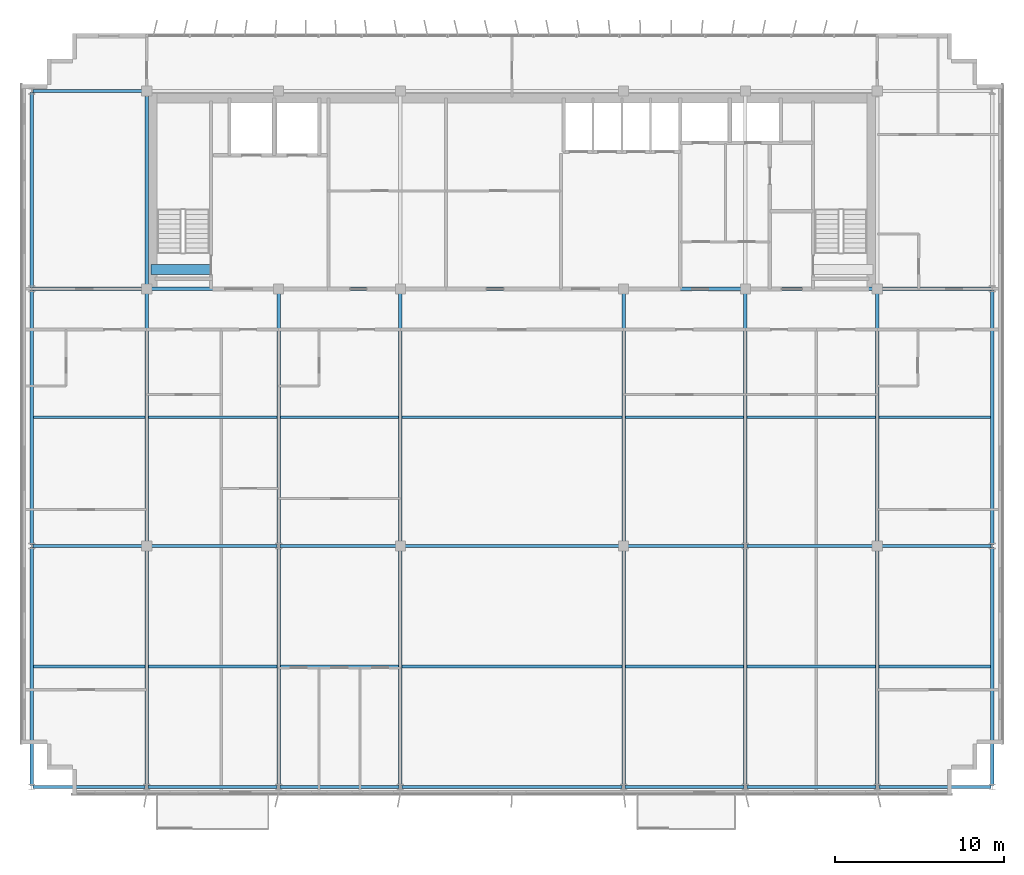
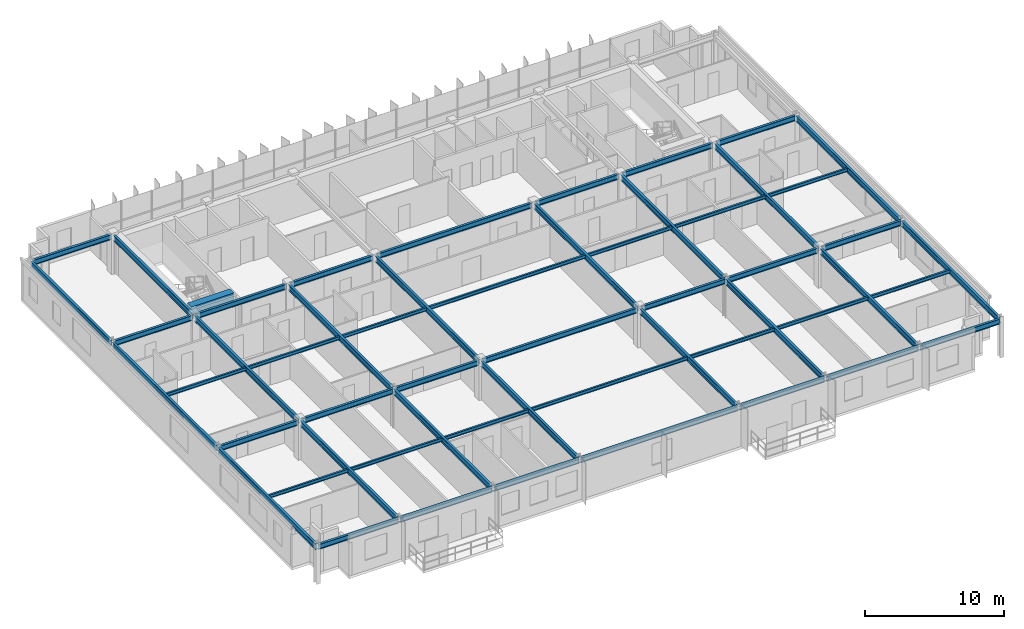
# One storey, part 5 of 22: 55 beams.
"""IFC4 building model written with IfcOpenShell, lengths in metres."""

from ifc_helpers import new_model, si_unit, direction, frame, origin, origin_2d, place, context, subcontext, project, spatial, rectangle, i_section, extrude, source, transform, mapped, material, material_profile, profile_set, type_object, element, save


model = new_model("IFC4")

# Units and contexts
model_context = context("Model", 3, precision=1e-05, world=origin(), true_north=direction((0.0, 1.0)))
body_context = subcontext(model_context, "Body", "Model", "MODEL_VIEW")
ifc_project = project(units=[si_unit("LENGTHUNIT", "METRE"), si_unit("AREAUNIT", "SQUARE_METRE"), si_unit("VOLUMEUNIT", "CUBIC_METRE"), si_unit("PLANEANGLEUNIT", "RADIAN"), si_unit("MASSUNIT", "GRAM", prefix="KILO")], contexts=[model_context])

# Site, building, storey
site_placement = place(None, origin())
site = spatial("IfcSite", under=ifc_project, at=site_placement, CompositionType="ELEMENT")
building_placement = place(site_placement, origin())
building = spatial("IfcBuilding", under=site, at=building_placement, Name="Trelvane Seafront Commons", CompositionType="ELEMENT")
storey_placement = place(building_placement, frame((0.0, 0.0, 270.300048828125)))
storey = spatial("IfcBuildingStorey", under=building, at=storey_placement, Name="L70", CompositionType="ELEMENT", Elevation=270.300048828125)

# Beams
ifc_material_1 = material(Name="Concrete C60/75", Category="concrete")
ifc_material_profile_1 = material_profile(ifc_material_1, rectangle(XDim=0.60009765625, YDim=0.89990234375, at=origin_2d()), Name="RC-600x900")
ifc_profile_set_1 = profile_set([ifc_material_profile_1], Name="Concrete C60/75")
beam_type_1 = type_object("IfcBeamType", Name="STR-LNT-RC600x900", PredefinedType="LINTEL", material=ifc_profile_set_1)
shared_shape_1 = source(origin(), body_context, "Body", "SweptSolid", [
    extrude(rectangle(XDim=0.60009765625, YDim=0.89990234375, at=origin_2d()), origin(), (0.0, 0.0, 1.0), 3.5498046875),
])
beam_1_placement = place(storey_placement, frame((15.85009765625, 34.550048828125, 2.919921875), z_axis=(1.0, 0.0, 0.0), x_axis=(0.0, 1.0, 0.0)))
element("IfcBeam", 1, at=beam_1_placement, inside=storey, type_object=beam_type_1, Name="L70 Core Coupling Lintel Beam CB-67", PredefinedType="LINTEL", context=body_context, shape_type="MappedRepresentation", body=[
    mapped(shared_shape_1, transform((0.0, 0.0, 0.0), x_axis=(1.0, 0.0, 0.0), y_axis=(0.0, 1.0, 0.0), z_axis=(0.0, 0.0, 1.0), scale=1.0)),
])
ifc_material_2 = material(Name="Steel SM355 (S355)", Category="steel")
ifc_material_profile_2 = material_profile(ifc_material_2, i_section(OverallWidth=0.199951171875, OverallDepth=0.5, WebThickness=0.010009765625, FlangeThickness=0.01611328125, at=origin_2d()), Name="H-500x200x10x16")
ifc_profile_set_2 = profile_set([ifc_material_profile_2], Name="Steel SM355 (S355)")
beam_type_2 = type_object("IfcBeamType", Name="STR-BM-H500", PredefinedType="BEAM", material=ifc_profile_set_2)
shared_shape_2 = source(origin(), body_context, "Body", "SweptSolid", [
    extrude(i_section(OverallWidth=0.199951171875, OverallDepth=0.5, WebThickness=0.010009765625, FlangeThickness=0.01611328125, at=origin_2d()), origin(), (0.0, 0.0, 1.0), 14.89990234375),
])
for number, where, z_axis, x_axis, name in (
    (2, (15.60009765625, 18.35009765625, 3.119873046875), (0.0, 1.0, 0.0), (-1.0, 0.0, 0.0), "L70 Primary Girder G-33"),
    (3, (30.60009765625, 18.35009765625, 3.119873046875), (0.0, 1.0, 0.0), (-1.0, 0.0, 0.0), "L70 Primary Girder G-39"),
    (4, (43.800048828125, 18.35009765625, 3.119873046875), (0.0, 1.0, 0.0), (-1.0, 0.0, 0.0), "L70 Primary Girder G-42"),
    (5, (58.800048828125, 18.35009765625, 3.119873046875), (0.0, 1.0, 0.0), (-1.0, 0.0, 0.0), "L70 Primary Girder G-48"),
):
    element("IfcBeam", number, at=place(storey_placement, frame(where, z_axis=z_axis, x_axis=x_axis)), inside=storey, type_object=beam_type_2, Name=name, PredefinedType="BEAM", context=body_context, shape_type="MappedRepresentation", body=[
        mapped(shared_shape_2, transform((0.0, 0.0, 0.0), x_axis=(1.0, 0.0, 0.0), y_axis=(0.0, 1.0, 0.0), z_axis=(0.0, 0.0, 1.0), scale=1.0)),
    ])
shared_shape_3 = source(origin(), body_context, "Body", "SweptSolid", [
    extrude(i_section(OverallWidth=0.199951171875, OverallDepth=0.5, WebThickness=0.010009765625, FlangeThickness=0.01611328125, at=origin_2d()), origin(), (0.0, 0.0, 1.0), 11.39990234375),
])
beam_2_placement = place(storey_placement, frame((15.60009765625, 33.550048828125, 3.119873046875), z_axis=(0.0, 1.0, 0.0), x_axis=(-1.0, 0.0, 0.0)))
element("IfcBeam", 6, at=beam_2_placement, inside=storey, type_object=beam_type_2, Name="L70 Primary Girder G-34", PredefinedType="BEAM", context=body_context, shape_type="MappedRepresentation", body=[
    mapped(shared_shape_3, transform((0.0, 0.0, 0.0), x_axis=(1.0, 0.0, 0.0), y_axis=(0.0, 1.0, 0.0), z_axis=(0.0, 0.0, 1.0), scale=1.0)),
])
ifc_material_profile_3 = material_profile(ifc_material_2, i_section(OverallWidth=0.199951171875, OverallDepth=0.449951171875, WebThickness=0.009033203125, FlangeThickness=0.013916015625, at=origin_2d()), Name="H-450x200x9x14")
ifc_profile_set_3 = profile_set([ifc_material_profile_3], Name="Steel SM355 (S355)")
beam_type_3 = type_object("IfcBeamType", Name="STR-SPD-H450", PredefinedType="SPANDREL", material=ifc_profile_set_3)
shared_shape_4 = source(origin(), body_context, "Body", "SweptSolid", [
    extrude(i_section(OverallWidth=0.199951171875, OverallDepth=0.449951171875, WebThickness=0.009033203125, FlangeThickness=0.013916015625, at=origin_2d()), origin(), (0.0, 0.0, 1.0), 6.625),
])
for number, where, z_axis, x_axis, name in (
    (7, (8.887451171875, 3.949951171875, 3.14501953125), (1.0, 0.0, 0.0), (0.0, 1.0, 0.0), "L70 Primary Girder G-01"),
    (8, (58.887451171875, 3.949951171875, 3.14501953125), (1.0, 0.0, 0.0), (0.0, 1.0, 0.0), "L70 Primary Girder G-07"),
):
    element("IfcBeam", number, at=place(storey_placement, frame(where, z_axis=z_axis, x_axis=x_axis)), inside=storey, type_object=beam_type_3, Name=name, PredefinedType="SPANDREL", context=body_context, shape_type="MappedRepresentation", body=[
        mapped(shared_shape_4, transform((0.0, 0.0, 0.0), x_axis=(1.0, 0.0, 0.0), y_axis=(0.0, 1.0, 0.0), z_axis=(0.0, 0.0, 1.0), scale=1.0)),
    ])
shared_shape_5 = source(origin(), body_context, "Body", "SweptSolid", [
    extrude(i_section(OverallWidth=0.199951171875, OverallDepth=0.449951171875, WebThickness=0.009033203125, FlangeThickness=0.013916015625, at=origin_2d()), origin(), (0.0, 0.0, 1.0), 7.625),
])
for number, where, z_axis, x_axis, name in (
    (9, (15.6875, 3.949951171875, 3.14501953125), (1.0, 0.0, 0.0), (0.0, 1.0, 0.0), "L70 Primary Girder G-02"),
    (10, (51.08740234375, 3.949951171875, 3.14501953125), (1.0, 0.0, 0.0), (0.0, 1.0, 0.0), "L70 Primary Girder G-06"),
):
    element("IfcBeam", number, at=place(storey_placement, frame(where, z_axis=z_axis, x_axis=x_axis)), inside=storey, type_object=beam_type_3, Name=name, PredefinedType="SPANDREL", context=body_context, shape_type="MappedRepresentation", body=[
        mapped(shared_shape_5, transform((0.0, 0.0, 0.0), x_axis=(1.0, 0.0, 0.0), y_axis=(0.0, 1.0, 0.0), z_axis=(0.0, 0.0, 1.0), scale=1.0)),
    ])
shared_shape_6 = source(origin(), body_context, "Body", "SweptSolid", [
    extrude(i_section(OverallWidth=0.199951171875, OverallDepth=0.449951171875, WebThickness=0.009033203125, FlangeThickness=0.013916015625, at=origin_2d()), origin(), (0.0, 0.0, 1.0), 7.02490234375),
])
beam_3_placement = place(storey_placement, frame((23.487548828125, 3.949951171875, 3.14501953125), z_axis=(1.0, 0.0, 0.0), x_axis=(0.0, 1.0, 0.0)))
element("IfcBeam", 11, at=beam_3_placement, inside=storey, type_object=beam_type_3, Name="L70 Primary Girder G-03", PredefinedType="SPANDREL", context=body_context, shape_type="MappedRepresentation", body=[
    mapped(shared_shape_6, transform((0.0, 0.0, 0.0), x_axis=(1.0, 0.0, 0.0), y_axis=(0.0, 1.0, 0.0), z_axis=(0.0, 0.0, 1.0), scale=1.0)),
])
shared_shape_7 = source(origin(), body_context, "Body", "SweptSolid", [
    extrude(i_section(OverallWidth=0.199951171875, OverallDepth=0.449951171875, WebThickness=0.009033203125, FlangeThickness=0.013916015625, at=origin_2d()), origin(), (0.0, 0.0, 1.0), 7.025146484375),
])
beam_4_placement = place(storey_placement, frame((43.887451171875, 3.949951171875, 3.14501953125), z_axis=(1.0, 0.0, 0.0), x_axis=(0.0, 1.0, 0.0)))
element("IfcBeam", 12, at=beam_4_placement, inside=storey, type_object=beam_type_3, Name="L70 Primary Girder G-05", PredefinedType="SPANDREL", context=body_context, shape_type="MappedRepresentation", body=[
    mapped(shared_shape_7, transform((0.0, 0.0, 0.0), x_axis=(1.0, 0.0, 0.0), y_axis=(0.0, 1.0, 0.0), z_axis=(0.0, 0.0, 1.0), scale=1.0)),
])
shared_shape_8 = source(origin(), body_context, "Body", "SweptSolid", [
    extrude(i_section(OverallWidth=0.199951171875, OverallDepth=0.449951171875, WebThickness=0.009033203125, FlangeThickness=0.013916015625, at=origin_2d()), origin(), (0.0, 0.0, 1.0), 6.5625),
])
for number, where, z_axis, x_axis, name in (
    (13, (8.887451171875, 18.199951171875, 3.14501953125), (1.0, 0.0, 0.0), (0.0, 1.0, 0.0), "L70 Primary Girder G-08"),
    (14, (58.949951171875, 18.199951171875, 3.14501953125), (1.0, 0.0, 0.0), (0.0, 1.0, 0.0), "L70 Primary Girder G-14"),
    (15, (8.887451171875, 33.39990234375, 3.14501953125), (1.0, 0.0, 0.0), (0.0, 1.0, 0.0), "L70 Primary Girder G-15"),
    (16, (58.949951171875, 33.39990234375, 3.14501953125), (1.0, 0.0, 0.0), (0.0, 1.0, 0.0), "L70 Primary Girder G-21"),
    (17, (8.887451171875, 45.10009765625, 3.14501953125), (1.0, 0.0, 0.0), (0.0, 1.0, 0.0), "L70 Primary Girder G-22"),
):
    element("IfcBeam", number, at=place(storey_placement, frame(where, z_axis=z_axis, x_axis=x_axis)), inside=storey, type_object=beam_type_3, Name=name, PredefinedType="SPANDREL", context=body_context, shape_type="MappedRepresentation", body=[
        mapped(shared_shape_8, transform((0.0, 0.0, 0.0), x_axis=(1.0, 0.0, 0.0), y_axis=(0.0, 1.0, 0.0), z_axis=(0.0, 0.0, 1.0), scale=1.0)),
    ])
shared_shape_9 = source(origin(), body_context, "Body", "SweptSolid", [
    extrude(i_section(OverallWidth=0.199951171875, OverallDepth=0.449951171875, WebThickness=0.009033203125, FlangeThickness=0.013916015625, at=origin_2d()), origin(), (0.0, 0.0, 1.0), 7.5625),
])
for number, where, z_axis, x_axis, name in (
    (18, (15.75, 18.199951171875, 3.14501953125), (1.0, 0.0, 0.0), (0.0, 1.0, 0.0), "L70 Primary Girder G-09"),
    (19, (51.08740234375, 18.199951171875, 3.14501953125), (1.0, 0.0, 0.0), (0.0, 1.0, 0.0), "L70 Primary Girder G-13"),
):
    element("IfcBeam", number, at=place(storey_placement, frame(where, z_axis=z_axis, x_axis=x_axis)), inside=storey, type_object=beam_type_3, Name=name, PredefinedType="SPANDREL", context=body_context, shape_type="MappedRepresentation", body=[
        mapped(shared_shape_9, transform((0.0, 0.0, 0.0), x_axis=(1.0, 0.0, 0.0), y_axis=(0.0, 1.0, 0.0), z_axis=(0.0, 0.0, 1.0), scale=1.0)),
    ])
shared_shape_10 = source(origin(), body_context, "Body", "SweptSolid", [
    extrude(i_section(OverallWidth=0.199951171875, OverallDepth=0.449951171875, WebThickness=0.009033203125, FlangeThickness=0.013916015625, at=origin_2d()), origin(), (0.0, 0.0, 1.0), 6.96240234375),
])
beam_5_placement = place(storey_placement, frame((23.487548828125, 18.199951171875, 3.14501953125), z_axis=(1.0, 0.0, 0.0), x_axis=(0.0, 1.0, 0.0)))
element("IfcBeam", 20, at=beam_5_placement, inside=storey, type_object=beam_type_3, Name="L70 Primary Girder G-10", PredefinedType="SPANDREL", context=body_context, shape_type="MappedRepresentation", body=[
    mapped(shared_shape_10, transform((0.0, 0.0, 0.0), x_axis=(1.0, 0.0, 0.0), y_axis=(0.0, 1.0, 0.0), z_axis=(0.0, 0.0, 1.0), scale=1.0)),
])
shared_shape_11 = source(origin(), body_context, "Body", "SweptSolid", [
    extrude(i_section(OverallWidth=0.199951171875, OverallDepth=0.449951171875, WebThickness=0.009033203125, FlangeThickness=0.013916015625, at=origin_2d()), origin(), (0.0, 0.0, 1.0), 6.962646484375),
])
beam_6_placement = place(storey_placement, frame((43.949951171875, 18.199951171875, 3.14501953125), z_axis=(1.0, 0.0, 0.0), x_axis=(0.0, 1.0, 0.0)))
element("IfcBeam", 21, at=beam_6_placement, inside=storey, type_object=beam_type_3, Name="L70 Primary Girder G-12", PredefinedType="SPANDREL", context=body_context, shape_type="MappedRepresentation", body=[
    mapped(shared_shape_11, transform((0.0, 0.0, 0.0), x_axis=(1.0, 0.0, 0.0), y_axis=(0.0, 1.0, 0.0), z_axis=(0.0, 0.0, 1.0), scale=1.0)),
])
shared_shape_12 = source(origin(), body_context, "Body", "SweptSolid", [
    extrude(i_section(OverallWidth=0.199951171875, OverallDepth=0.449951171875, WebThickness=0.009033203125, FlangeThickness=0.013916015625, at=origin_2d()), origin(), (0.0, 0.0, 1.0), 7.5),
])
for number, where, z_axis, x_axis, name in (
    (22, (15.75, 33.39990234375, 3.14501953125), (1.0, 0.0, 0.0), (0.0, 1.0, 0.0), "L70 Primary Girder G-16"),
    (23, (51.14990234375, 33.39990234375, 3.14501953125), (1.0, 0.0, 0.0), (0.0, 1.0, 0.0), "L70 Primary Girder G-20"),
):
    element("IfcBeam", number, at=place(storey_placement, frame(where, z_axis=z_axis, x_axis=x_axis)), inside=storey, type_object=beam_type_3, Name=name, PredefinedType="SPANDREL", context=body_context, shape_type="MappedRepresentation", body=[
        mapped(shared_shape_12, transform((0.0, 0.0, 0.0), x_axis=(1.0, 0.0, 0.0), y_axis=(0.0, 1.0, 0.0), z_axis=(0.0, 0.0, 1.0), scale=1.0)),
    ])
shared_shape_13 = source(origin(), body_context, "Body", "SweptSolid", [
    extrude(i_section(OverallWidth=0.199951171875, OverallDepth=0.449951171875, WebThickness=0.009033203125, FlangeThickness=0.013916015625, at=origin_2d()), origin(), (0.0, 0.0, 1.0), 6.89990234375),
])
beam_7_placement = place(storey_placement, frame((23.550048828125, 33.39990234375, 3.14501953125), z_axis=(1.0, 0.0, 0.0), x_axis=(0.0, 1.0, 0.0)))
element("IfcBeam", 24, at=beam_7_placement, inside=storey, type_object=beam_type_3, Name="L70 Primary Girder G-17", PredefinedType="SPANDREL", context=body_context, shape_type="MappedRepresentation", body=[
    mapped(shared_shape_13, transform((0.0, 0.0, 0.0), x_axis=(1.0, 0.0, 0.0), y_axis=(0.0, 1.0, 0.0), z_axis=(0.0, 0.0, 1.0), scale=1.0)),
])
shared_shape_14 = source(origin(), body_context, "Body", "SweptSolid", [
    extrude(i_section(OverallWidth=0.199951171875, OverallDepth=0.449951171875, WebThickness=0.009033203125, FlangeThickness=0.013916015625, at=origin_2d()), origin(), (0.0, 0.0, 1.0), 12.89990234375),
])
for number, where, z_axis, x_axis, name in (
    (25, (30.75, 18.199951171875, 3.14501953125), (1.0, 0.0, 0.0), (0.0, 1.0, 0.0), "L70 Primary Girder G-11"),
    (26, (30.75, 33.39990234375, 3.14501953125), (1.0, 0.0, 0.0), (0.0, 1.0, 0.0), "L70 Primary Girder G-18"),
):
    element("IfcBeam", number, at=place(storey_placement, frame(where, z_axis=z_axis, x_axis=x_axis)), inside=storey, type_object=beam_type_3, Name=name, PredefinedType="SPANDREL", context=body_context, shape_type="MappedRepresentation", body=[
        mapped(shared_shape_14, transform((0.0, 0.0, 0.0), x_axis=(1.0, 0.0, 0.0), y_axis=(0.0, 1.0, 0.0), z_axis=(0.0, 0.0, 1.0), scale=1.0)),
    ])
shared_shape_15 = source(origin(), body_context, "Body", "SweptSolid", [
    extrude(i_section(OverallWidth=0.199951171875, OverallDepth=0.449951171875, WebThickness=0.009033203125, FlangeThickness=0.013916015625, at=origin_2d()), origin(), (0.0, 0.0, 1.0), 6.900146484375),
])
beam_8_placement = place(storey_placement, frame((43.949951171875, 33.39990234375, 3.14501953125), z_axis=(1.0, 0.0, 0.0), x_axis=(0.0, 1.0, 0.0)))
element("IfcBeam", 27, at=beam_8_placement, inside=storey, type_object=beam_type_3, Name="L70 Primary Girder G-19", PredefinedType="SPANDREL", context=body_context, shape_type="MappedRepresentation", body=[
    mapped(shared_shape_15, transform((0.0, 0.0, 0.0), x_axis=(1.0, 0.0, 0.0), y_axis=(0.0, 1.0, 0.0), z_axis=(0.0, 0.0, 1.0), scale=1.0)),
])
shared_shape_16 = source(origin(), body_context, "Body", "SweptSolid", [
    extrude(i_section(OverallWidth=0.199951171875, OverallDepth=0.5, WebThickness=0.010009765625, FlangeThickness=0.01611328125, at=origin_2d()), origin(), (0.0, 0.0, 1.0), 14.074951171875),
])
for number, where, z_axis, x_axis, name in (
    (28, (8.800048828125, 4.03759765625, 3.119873046875), (0.0, 1.0, 0.0), (-1.0, 0.0, 0.0), "L70 Primary Girder G-29"),
    (29, (23.39990234375, 4.03759765625, 3.119873046875), (0.0, 1.0, 0.0), (-1.0, 0.0, 0.0), "L70 Primary Girder G-35"),
    (30, (51.0, 4.03759765625, 3.119873046875), (0.0, 1.0, 0.0), (-1.0, 0.0, 0.0), "L70 Primary Girder G-44"),
    (31, (65.60009765625, 4.03759765625, 3.119873046875), (0.0, 1.0, 0.0), (-1.0, 0.0, 0.0), "L70 Primary Girder G-50"),
):
    element("IfcBeam", number, at=place(storey_placement, frame(where, z_axis=z_axis, x_axis=x_axis)), inside=storey, type_object=beam_type_2, Name=name, PredefinedType="BEAM", context=body_context, shape_type="MappedRepresentation", body=[
        mapped(shared_shape_16, transform((0.0, 0.0, 0.0), x_axis=(1.0, 0.0, 0.0), y_axis=(0.0, 1.0, 0.0), z_axis=(0.0, 0.0, 1.0), scale=1.0)),
    ])
shared_shape_17 = source(origin(), body_context, "Body", "SweptSolid", [
    extrude(i_section(OverallWidth=0.199951171875, OverallDepth=0.5, WebThickness=0.010009765625, FlangeThickness=0.01611328125, at=origin_2d()), origin(), (0.0, 0.0, 1.0), 15.02490234375),
])
for number, where, z_axis, x_axis, name in (
    (32, (8.800048828125, 18.28759765625, 3.119873046875), (0.0, 1.0, 0.0), (-1.0, 0.0, 0.0), "L70 Primary Girder G-30"),
    (33, (65.60009765625, 18.28759765625, 3.119873046875), (0.0, 1.0, 0.0), (-1.0, 0.0, 0.0), "L70 Primary Girder G-51"),
):
    element("IfcBeam", number, at=place(storey_placement, frame(where, z_axis=z_axis, x_axis=x_axis)), inside=storey, type_object=beam_type_2, Name=name, PredefinedType="BEAM", context=body_context, shape_type="MappedRepresentation", body=[
        mapped(shared_shape_17, transform((0.0, 0.0, 0.0), x_axis=(1.0, 0.0, 0.0), y_axis=(0.0, 1.0, 0.0), z_axis=(0.0, 0.0, 1.0), scale=1.0)),
    ])
shared_shape_18 = source(origin(), body_context, "Body", "SweptSolid", [
    extrude(i_section(OverallWidth=0.199951171875, OverallDepth=0.5, WebThickness=0.010009765625, FlangeThickness=0.01611328125, at=origin_2d()), origin(), (0.0, 0.0, 1.0), 11.52490234375),
])
beam_9_placement = place(storey_placement, frame((8.800048828125, 33.487548828125, 3.119873046875), z_axis=(0.0, 1.0, 0.0), x_axis=(-1.0, 0.0, 0.0)))
element("IfcBeam", 34, at=beam_9_placement, inside=storey, type_object=beam_type_2, Name="L70 Primary Girder G-31", PredefinedType="BEAM", context=body_context, shape_type="MappedRepresentation", body=[
    mapped(shared_shape_18, transform((0.0, 0.0, 0.0), x_axis=(1.0, 0.0, 0.0), y_axis=(0.0, 1.0, 0.0), z_axis=(0.0, 0.0, 1.0), scale=1.0)),
])
shared_shape_19 = source(origin(), body_context, "Body", "SweptSolid", [
    extrude(i_section(OverallWidth=0.199951171875, OverallDepth=0.5, WebThickness=0.010009765625, FlangeThickness=0.01611328125, at=origin_2d()), origin(), (0.0, 0.0, 1.0), 14.012451171875),
])
for number, where, z_axis, x_axis, name in (
    (35, (15.60009765625, 4.03759765625, 3.119873046875), (0.0, 1.0, 0.0), (-1.0, 0.0, 0.0), "L70 Primary Girder G-32"),
    (36, (30.60009765625, 4.03759765625, 3.119873046875), (0.0, 1.0, 0.0), (-1.0, 0.0, 0.0), "L70 Primary Girder G-38"),
    (37, (43.800048828125, 4.03759765625, 3.119873046875), (0.0, 1.0, 0.0), (-1.0, 0.0, 0.0), "L70 Primary Girder G-41"),
    (38, (58.800048828125, 4.03759765625, 3.119873046875), (0.0, 1.0, 0.0), (-1.0, 0.0, 0.0), "L70 Primary Girder G-47"),
):
    element("IfcBeam", number, at=place(storey_placement, frame(where, z_axis=z_axis, x_axis=x_axis)), inside=storey, type_object=beam_type_2, Name=name, PredefinedType="BEAM", context=body_context, shape_type="MappedRepresentation", body=[
        mapped(shared_shape_19, transform((0.0, 0.0, 0.0), x_axis=(1.0, 0.0, 0.0), y_axis=(0.0, 1.0, 0.0), z_axis=(0.0, 0.0, 1.0), scale=1.0)),
    ])
shared_shape_20 = source(origin(), body_context, "Body", "SweptSolid", [
    extrude(i_section(OverallWidth=0.199951171875, OverallDepth=0.5, WebThickness=0.010009765625, FlangeThickness=0.01611328125, at=origin_2d()), origin(), (0.0, 0.0, 1.0), 14.96240234375),
])
for number, where, z_axis, x_axis, name in (
    (39, (23.39990234375, 18.28759765625, 3.119873046875), (0.0, 1.0, 0.0), (-1.0, 0.0, 0.0), "L70 Primary Girder G-36"),
    (40, (51.0, 18.28759765625, 3.119873046875), (0.0, 1.0, 0.0), (-1.0, 0.0, 0.0), "L70 Primary Girder G-45"),
):
    element("IfcBeam", number, at=place(storey_placement, frame(where, z_axis=z_axis, x_axis=x_axis)), inside=storey, type_object=beam_type_2, Name=name, PredefinedType="BEAM", context=body_context, shape_type="MappedRepresentation", body=[
        mapped(shared_shape_20, transform((0.0, 0.0, 0.0), x_axis=(1.0, 0.0, 0.0), y_axis=(0.0, 1.0, 0.0), z_axis=(0.0, 0.0, 1.0), scale=1.0)),
    ])
ifc_material_profile_4 = material_profile(ifc_material_2, i_section(OverallWidth=0.14990234375, OverallDepth=0.300048828125, WebThickness=0.006591796875, FlangeThickness=0.009033203125, at=origin_2d()), Name="H-300x150x6.5x9")
ifc_profile_set_4 = profile_set([ifc_material_profile_4], Name="Steel SM355 (S355)")
beam_type_4 = type_object("IfcBeamType", Name="STR-JST-H300", PredefinedType="JOIST", material=ifc_profile_set_4)
shared_shape_21 = source(origin(), body_context, "Body", "SweptSolid", [
    extrude(i_section(OverallWidth=0.14990234375, OverallDepth=0.300048828125, WebThickness=0.006591796875, FlangeThickness=0.009033203125, at=origin_2d()), origin(), (0.0, 0.0, 1.0), 6.60009765625),
])
for number, where, z_axis, x_axis, name in (
    (41, (8.89990234375, 11.074951171875, 3.219970703125), (1.0, 0.0, 0.0), (0.0, 1.0, 0.0), "L70 Secondary Floor Joist B-53"),
    (42, (58.89990234375, 11.074951171875, 3.219970703125), (1.0, 0.0, 0.0), (0.0, 1.0, 0.0), "L70 Secondary Floor Joist B-59"),
    (43, (8.89990234375, 25.800048828125, 3.219970703125), (1.0, 0.0, 0.0), (0.0, 1.0, 0.0), "L70 Secondary Floor Joist B-60"),
    (44, (58.89990234375, 25.800048828125, 3.219970703125), (1.0, 0.0, 0.0), (0.0, 1.0, 0.0), "L70 Secondary Floor Joist B-66"),
):
    element("IfcBeam", number, at=place(storey_placement, frame(where, z_axis=z_axis, x_axis=x_axis)), inside=storey, type_object=beam_type_4, Name=name, PredefinedType="JOIST", context=body_context, shape_type="MappedRepresentation", body=[
        mapped(shared_shape_21, transform((0.0, 0.0, 0.0), x_axis=(1.0, 0.0, 0.0), y_axis=(0.0, 1.0, 0.0), z_axis=(0.0, 0.0, 1.0), scale=1.0)),
    ])
shared_shape_22 = source(origin(), body_context, "Body", "SweptSolid", [
    extrude(i_section(OverallWidth=0.14990234375, OverallDepth=0.300048828125, WebThickness=0.006591796875, FlangeThickness=0.009033203125, at=origin_2d()), origin(), (0.0, 0.0, 1.0), 7.60009765625),
])
for number, where, z_axis, x_axis, name in (
    (45, (15.699951171875, 11.074951171875, 3.219970703125), (1.0, 0.0, 0.0), (0.0, 1.0, 0.0), "L70 Secondary Floor Joist B-54"),
    (46, (15.699951171875, 25.800048828125, 3.219970703125), (1.0, 0.0, 0.0), (0.0, 1.0, 0.0), "L70 Secondary Floor Joist B-61"),
):
    element("IfcBeam", number, at=place(storey_placement, frame(where, z_axis=z_axis, x_axis=x_axis)), inside=storey, type_object=beam_type_4, Name=name, PredefinedType="JOIST", context=body_context, shape_type="MappedRepresentation", body=[
        mapped(shared_shape_22, transform((0.0, 0.0, 0.0), x_axis=(1.0, 0.0, 0.0), y_axis=(0.0, 1.0, 0.0), z_axis=(0.0, 0.0, 1.0), scale=1.0)),
    ])
shared_shape_23 = source(origin(), body_context, "Body", "SweptSolid", [
    extrude(i_section(OverallWidth=0.14990234375, OverallDepth=0.300048828125, WebThickness=0.006591796875, FlangeThickness=0.009033203125, at=origin_2d()), origin(), (0.0, 0.0, 1.0), 7.0),
])
for number, where, z_axis, x_axis, name in (
    (47, (23.5, 11.074951171875, 3.219970703125), (1.0, 0.0, 0.0), (0.0, 1.0, 0.0), "L70 Secondary Floor Joist B-55"),
    (48, (43.89990234375, 11.074951171875, 3.219970703125), (1.0, 0.0, 0.0), (0.0, 1.0, 0.0), "L70 Secondary Floor Joist B-57"),
    (49, (23.5, 25.800048828125, 3.219970703125), (1.0, 0.0, 0.0), (0.0, 1.0, 0.0), "L70 Secondary Floor Joist B-62"),
    (50, (43.89990234375, 25.800048828125, 3.219970703125), (1.0, 0.0, 0.0), (0.0, 1.0, 0.0), "L70 Secondary Floor Joist B-64"),
):
    element("IfcBeam", number, at=place(storey_placement, frame(where, z_axis=z_axis, x_axis=x_axis)), inside=storey, type_object=beam_type_4, Name=name, PredefinedType="JOIST", context=body_context, shape_type="MappedRepresentation", body=[
        mapped(shared_shape_23, transform((0.0, 0.0, 0.0), x_axis=(1.0, 0.0, 0.0), y_axis=(0.0, 1.0, 0.0), z_axis=(0.0, 0.0, 1.0), scale=1.0)),
    ])
shared_shape_24 = source(origin(), body_context, "Body", "SweptSolid", [
    extrude(i_section(OverallWidth=0.14990234375, OverallDepth=0.300048828125, WebThickness=0.006591796875, FlangeThickness=0.009033203125, at=origin_2d()), origin(), (0.0, 0.0, 1.0), 7.599853515625),
])
for number, where, z_axis, x_axis, name in (
    (51, (51.10009765625, 11.074951171875, 3.219970703125), (1.0, 0.0, 0.0), (0.0, 1.0, 0.0), "L70 Secondary Floor Joist B-58"),
    (52, (51.10009765625, 25.800048828125, 3.219970703125), (1.0, 0.0, 0.0), (0.0, 1.0, 0.0), "L70 Secondary Floor Joist B-65"),
):
    element("IfcBeam", number, at=place(storey_placement, frame(where, z_axis=z_axis, x_axis=x_axis)), inside=storey, type_object=beam_type_4, Name=name, PredefinedType="JOIST", context=body_context, shape_type="MappedRepresentation", body=[
        mapped(shared_shape_24, transform((0.0, 0.0, 0.0), x_axis=(1.0, 0.0, 0.0), y_axis=(0.0, 1.0, 0.0), z_axis=(0.0, 0.0, 1.0), scale=1.0)),
    ])
shared_shape_25 = source(origin(), body_context, "Body", "SweptSolid", [
    extrude(i_section(OverallWidth=0.14990234375, OverallDepth=0.300048828125, WebThickness=0.006591796875, FlangeThickness=0.009033203125, at=origin_2d()), origin(), (0.0, 0.0, 1.0), 13.0),
])
for number, where, z_axis, x_axis, name in (
    (53, (30.699951171875, 11.074951171875, 3.219970703125), (1.0, 0.0, 0.0), (0.0, 1.0, 0.0), "L70 Secondary Floor Joist B-56"),
    (54, (30.699951171875, 25.800048828125, 3.219970703125), (1.0, 0.0, 0.0), (0.0, 1.0, 0.0), "L70 Secondary Floor Joist B-63"),
):
    element("IfcBeam", number, at=place(storey_placement, frame(where, z_axis=z_axis, x_axis=x_axis)), inside=storey, type_object=beam_type_4, Name=name, PredefinedType="JOIST", context=body_context, shape_type="MappedRepresentation", body=[
        mapped(shared_shape_25, transform((0.0, 0.0, 0.0), x_axis=(1.0, 0.0, 0.0), y_axis=(0.0, 1.0, 0.0), z_axis=(0.0, 0.0, 1.0), scale=1.0)),
    ])
shared_shape_26 = source(origin(), body_context, "Body", "SweptSolid", [
    extrude(i_section(OverallWidth=0.199951171875, OverallDepth=0.449951171875, WebThickness=0.009033203125, FlangeThickness=0.013916015625, at=origin_2d()), origin(), (0.0, 0.0, 1.0), 13.02490234375),
])
beam_10_placement = place(storey_placement, frame((30.6875, 3.949951171875, 3.14501953125), z_axis=(1.0, 0.0, 0.0), x_axis=(0.0, 1.0, 0.0)))
element("IfcBeam", 55, at=beam_10_placement, inside=storey, type_object=beam_type_3, Name="L70 Primary Girder G-04", PredefinedType="SPANDREL", context=body_context, shape_type="MappedRepresentation", body=[
    mapped(shared_shape_26, transform((0.0, 0.0, 0.0), x_axis=(1.0, 0.0, 0.0), y_axis=(0.0, 1.0, 0.0), z_axis=(0.0, 0.0, 1.0), scale=1.0)),
])

save(model, "model.ifc")
